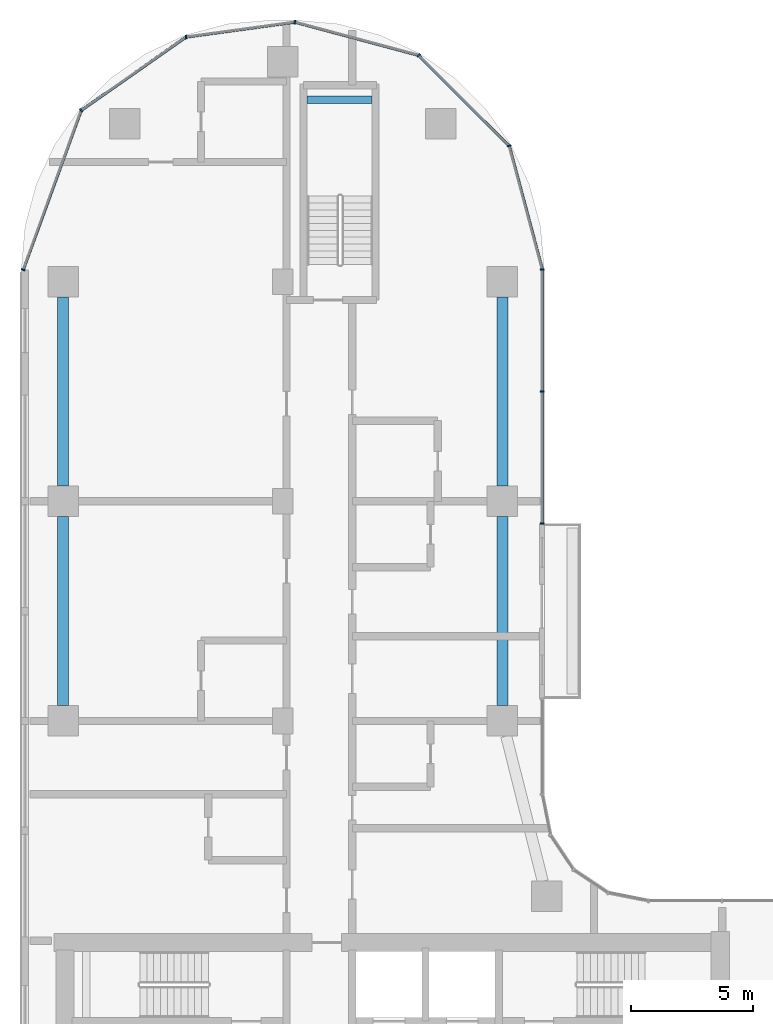
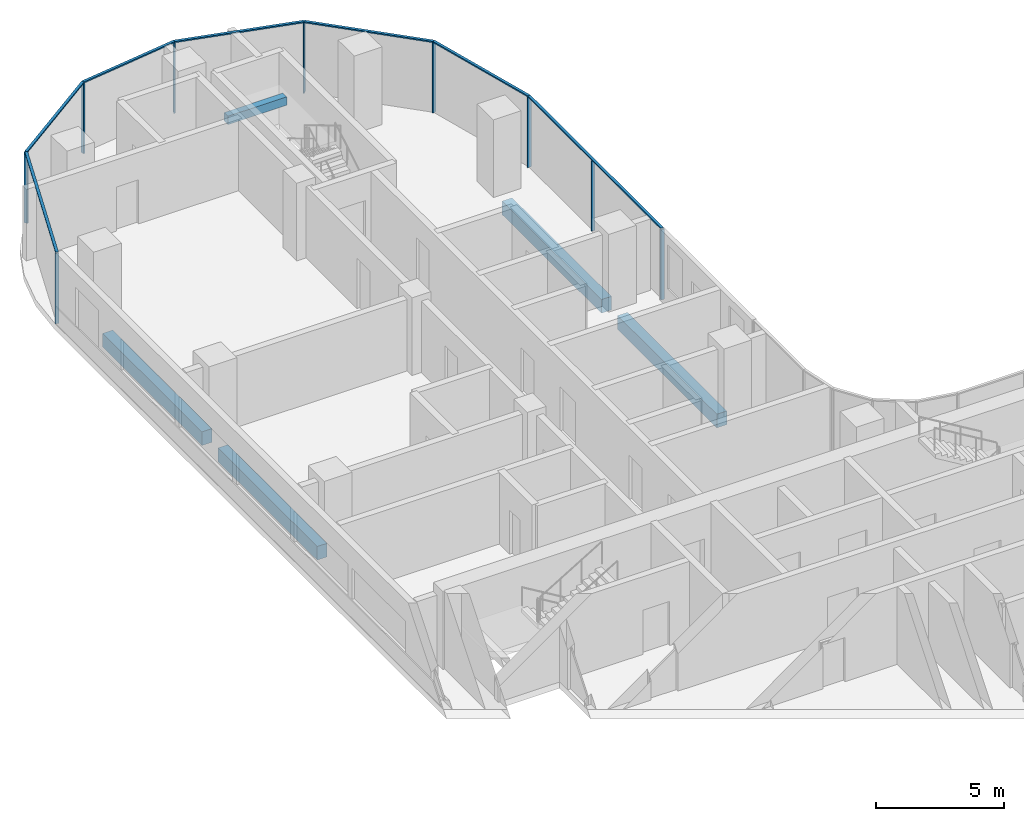
# One storey, part 6 of 23: 16 members, 5 beams, 2 elements without a shape of their own.
"""IFC4 building model written with IfcOpenShell, lengths in metres."""

from ifc_helpers import new_model, si_unit, direction, frame, origin, origin_2d, place, context, subcontext, project, spatial, rectangle, extrude, material, material_profile, profile_set, type_object, element, aggregate, save


model = new_model("IFC4")

# Units and contexts
model_context = context("Model", 3, precision=1e-05, world=origin(), true_north=direction((0.0, 1.0)))
body_context = subcontext(model_context, "Body", "Model", "MODEL_VIEW")
ifc_project = project(units=[si_unit("LENGTHUNIT", "METRE"), si_unit("AREAUNIT", "SQUARE_METRE"), si_unit("VOLUMEUNIT", "CUBIC_METRE"), si_unit("PLANEANGLEUNIT", "RADIAN"), si_unit("MASSUNIT", "GRAM", prefix="KILO")], contexts=[model_context])

# Site, building, storey
site_placement = place(None, origin())
site = spatial("IfcSite", under=ifc_project, at=site_placement, CompositionType="ELEMENT")
building_placement = place(site_placement, origin())
building = spatial("IfcBuilding", under=site, at=building_placement, Name="Ogive Portal Towers", CompositionType="ELEMENT")
storey_placement = place(building_placement, frame((0.0, 0.0, 127.800048828125)))
storey = spatial("IfcBuildingStorey", under=building, at=storey_placement, Name="L31", CompositionType="ELEMENT", Elevation=127.800048828125)

# Beam
ifc_material_1 = material(Name="Concrete C40/50", Category="concrete")
ifc_material_profile_1 = material_profile(ifc_material_1, rectangle(XDim=0.300048828125, YDim=0.39990234375, at=origin_2d()), Name="RC 300x400")
ifc_profile_set_1 = profile_set([ifc_material_profile_1], Name="Concrete C40/50")
beam_type_1 = type_object("IfcBeamType", Name="BEAM RC 300x400", PredefinedType="BEAM", material=ifc_profile_set_1)
beam_placement = place(storey_placement, frame((41.5, 73.949951171875, 1.449951171875), z_axis=(1.0, 0.0, 0.0), x_axis=(0.0, 1.0, 0.0)))
element("IfcBeam", 1, at=beam_placement, inside=storey, type_object=beam_type_1, Name="Landing beam L31", PredefinedType="BEAM", context=body_context, shape_type="SweptSolid", body=[
    extrude(rectangle(XDim=0.300048828125, YDim=0.39990234375, at=origin_2d()), origin(), (0.0, 0.0, 1.0), 2.64990234375),
])

# Curtain wall, members
ifc_material_2 = material(Name="Glass, clear low-iron insulated glazing", Category="glass")
curtain_wall_type = type_object("IfcCurtainWallType", Name="CW FRONT RIBBON 4500", PredefinedType="NOTDEFINED", material=ifc_material_2)
curtain_wall_1_placement = place(storey_placement, origin())
curtain_wall_1 = element("IfcCurtainWall", 2, at=curtain_wall_1_placement, inside=storey, type_object=curtain_wall_type, Name="A:L31:f18:cw1", PredefinedType="NOTDEFINED")
ifc_material_3 = material(Name="Aluminium 6063 anodised", Category="aluminium")
ifc_material_profile_2 = material_profile(ifc_material_3, rectangle(XDim=0.159912109375, YDim=0.06005859375, at=origin_2d()), Name="AL 60x160")
ifc_profile_set_2 = profile_set([ifc_material_profile_2], Name="Aluminium 6063 anodised")
member_type_1 = type_object("IfcMemberType", Name="CW MULLION 60x160", PredefinedType="MULLION", material=ifc_profile_set_2)
member_1_placement = place(storey_placement, frame((51.135009765625, 56.5908203125, 0.0), z_axis=(0.0, 0.0, 1.0), x_axis=(-1.0, 0.0, 0.0)))
member_1 = element("IfcMember", 3, at=member_1_placement, type_object=member_type_1, Name="mullion", PredefinedType="MULLION", context=body_context, shape_type="SweptSolid", body=[
    extrude(rectangle(XDim=0.159912109375, YDim=0.06005859375, at=origin_2d()), origin(), (0.0, 0.0, 1.0), 3.33984375),
])
member_2_placement = place(storey_placement, frame((51.135009765625, 62.0, 0.0), z_axis=(0.0, 0.0, 1.0), x_axis=(-1.0, 0.0, 0.0)))
member_2 = element("IfcMember", 4, at=member_2_placement, type_object=member_type_1, Name="mullion", PredefinedType="MULLION", context=body_context, shape_type="SweptSolid", body=[
    extrude(rectangle(XDim=0.159912109375, YDim=0.06005859375, at=origin_2d()), origin(), (0.0, 0.0, 1.0), 3.33984375),
])
member_3_placement = place(storey_placement, frame((51.135009765625, 66.989501953125, 0.0), z_axis=(0.0, 0.0, 1.0), x_axis=(-1.0, 0.0, 0.0)))
member_3 = element("IfcMember", 5, at=member_3_placement, type_object=member_type_1, Name="mullion", PredefinedType="MULLION", context=body_context, shape_type="SweptSolid", body=[
    extrude(rectangle(XDim=0.159912109375, YDim=0.06005859375, at=origin_2d()), origin(), (0.0, 0.0, 1.0), 3.33984375),
])

curtain_wall_2_placement = place(storey_placement, origin())
curtain_wall_2 = element("IfcCurtainWall", 6, at=curtain_wall_2_placement, inside=storey, type_object=curtain_wall_type, Name="A:L31:f19:cwa", PredefinedType="NOTDEFINED")
member_4_placement = place(storey_placement, frame((49.774658203125, 72.066162109375, 0.0), z_axis=(0.0, 0.0, 1.0), x_axis=(-0.965925826289, -0.258819045103, 0.0)))
member_4 = element("IfcMember", 7, at=member_4_placement, type_object=member_type_1, Name="mullion", PredefinedType="MULLION", context=body_context, shape_type="SweptSolid", body=[
    extrude(rectangle(XDim=0.159912109375, YDim=0.06005859375, at=origin_2d()), origin(), (0.0, 0.0, 1.0), 3.33984375),
])
member_5_placement = place(storey_placement, frame((46.066162109375, 75.774658203125, 0.0), z_axis=(0.0, 0.0, 1.0), x_axis=(-0.707106781187, -0.707106781187, 0.0)))
member_5 = element("IfcMember", 8, at=member_5_placement, type_object=member_type_1, Name="mullion", PredefinedType="MULLION", context=body_context, shape_type="SweptSolid", body=[
    extrude(rectangle(XDim=0.159912109375, YDim=0.06005859375, at=origin_2d()), origin(), (0.0, 0.0, 1.0), 3.33984375),
])
member_6_placement = place(storey_placement, frame((40.994873046875, 77.133544921875, 0.0), z_axis=(0.0, 0.0, 1.0), x_axis=(-0.258819045103, -0.965925826289, 0.0)))
member_6 = element("IfcMember", 9, at=member_6_placement, type_object=member_type_1, Name="mullion", PredefinedType="MULLION", context=body_context, shape_type="SweptSolid", body=[
    extrude(rectangle(XDim=0.159912109375, YDim=0.06005859375, at=origin_2d()), origin(), (0.0, 0.0, 1.0), 3.33984375),
])
member_7_placement = place(storey_placement, frame((36.536376953125, 76.522216796875, 0.0), z_axis=(0.0, 0.0, 1.0), x_axis=(0.135818290186, -0.990733764465, 0.0)))
member_7 = element("IfcMember", 10, at=member_7_placement, type_object=member_type_1, Name="mullion", PredefinedType="MULLION", context=body_context, shape_type="SweptSolid", body=[
    extrude(rectangle(XDim=0.159912109375, YDim=0.06005859375, at=origin_2d()), origin(), (0.0, 0.0, 1.0), 3.33984375),
])
member_8_placement = place(storey_placement, frame((32.241455078125, 73.514892578125, 0.0), z_axis=(0.0, 0.0, 1.0), x_axis=(0.573576436351, -0.819152044289, 0.0)))
member_8 = element("IfcMember", 11, at=member_8_placement, type_object=member_type_1, Name="mullion", PredefinedType="MULLION", context=body_context, shape_type="SweptSolid", body=[
    extrude(rectangle(XDim=0.159912109375, YDim=0.06005859375, at=origin_2d()), origin(), (0.0, 0.0, 1.0), 3.33984375),
])
member_9_placement = place(storey_placement, frame((29.864990234375, 66.98583984375, 0.0), z_axis=(0.0, 0.0, 1.0), x_axis=(0.939692620786, -0.342020143326, 0.0)))
member_9 = element("IfcMember", 12, at=member_9_placement, type_object=member_type_1, Name="mullion", PredefinedType="MULLION", context=body_context, shape_type="SweptSolid", body=[
    extrude(rectangle(XDim=0.159912109375, YDim=0.06005859375, at=origin_2d()), origin(), (0.0, 0.0, 1.0), 3.33984375),
])

# Member
ifc_material_profile_3 = material_profile(ifc_material_3, rectangle(XDim=0.1201171875, YDim=0.06005859375, at=origin_2d()), Name="AL 120x60")
ifc_profile_set_3 = profile_set([ifc_material_profile_3], Name="Aluminium 6063 anodised")
member_type_2 = type_object("IfcMemberType", Name="CW TRANSOM 60x120", PredefinedType="USERDEFINED", material=ifc_profile_set_3)
member_10_placement = place(storey_placement, frame((51.135009765625, 56.5908203125, 3.369873046875), z_axis=(0.0, 1.0, 0.0), x_axis=(-1.0, 0.0, 0.0)))
member_10 = element("IfcMember", 13, at=member_10_placement, type_object=member_type_2, Name="transom", ObjectType="TRANSOM", PredefinedType="USERDEFINED", context=body_context, shape_type="SweptSolid", body=[
    extrude(rectangle(XDim=0.1201171875, YDim=0.06005859375, at=origin_2d()), origin(), (0.0, 0.0, 1.0), 10.398681640625),
])

aggregate(curtain_wall_1, [member_10, member_1, member_2, member_3])

member_11_placement = place(storey_placement, frame((51.135009765625, 66.989501953125, 3.369873046875), z_axis=(-0.258830508272, 0.965922754669, 0.0), x_axis=(-0.965922754669, -0.258830508272, 0.0)))
member_11 = element("IfcMember", 14, at=member_11_placement, type_object=member_type_2, Name="transom", ObjectType="TRANSOM", PredefinedType="USERDEFINED", context=body_context, shape_type="SweptSolid", body=[
    extrude(rectangle(XDim=0.1201171875, YDim=0.06005859375, at=origin_2d()), origin(), (0.0, 0.0, 1.0), 5.255859375),
])

member_12_placement = place(storey_placement, frame((49.774658203125, 72.066162109375, 3.369873046875), z_axis=(-0.707106781187, 0.707106781187, 0.0), x_axis=(-0.707106781187, -0.707106781187, 0.0)))
member_12 = element("IfcMember", 15, at=member_12_placement, type_object=member_type_2, Name="transom", ObjectType="TRANSOM", PredefinedType="USERDEFINED", context=body_context, shape_type="SweptSolid", body=[
    extrude(rectangle(XDim=0.1201171875, YDim=0.06005859375, at=origin_2d()), origin(), (0.0, 0.0, 1.0), 5.24462890625),
])

member_13_placement = place(storey_placement, frame((46.066162109375, 75.774658203125, 3.369873046875), z_axis=(-0.965923973482, 0.258825959773, 0.0), x_axis=(-0.258825959773, -0.965923973482, 0.0)))
member_13 = element("IfcMember", 16, at=member_13_placement, type_object=member_type_2, Name="transom", ObjectType="TRANSOM", PredefinedType="USERDEFINED", context=body_context, shape_type="SweptSolid", body=[
    extrude(rectangle(XDim=0.1201171875, YDim=0.06005859375, at=origin_2d()), origin(), (0.0, 0.0, 1.0), 5.250244140625),
])

member_14_placement = place(storey_placement, frame((40.994873046875, 77.133544921875, 3.369873046875), z_axis=(-0.990730199866, -0.135844289808, 0.0), x_axis=(0.135844289808, -0.990730199866, 0.0)))
member_14 = element("IfcMember", 17, at=member_14_placement, type_object=member_type_2, Name="transom", ObjectType="TRANSOM", PredefinedType="USERDEFINED", context=body_context, shape_type="SweptSolid", body=[
    extrude(rectangle(XDim=0.1201171875, YDim=0.06005859375, at=origin_2d()), origin(), (0.0, 0.0, 1.0), 4.500244140625),
])

member_15_placement = place(storey_placement, frame((36.536376953125, 76.522216796875, 3.369873046875), z_axis=(-0.819153160327, -0.57357484248, 0.0), x_axis=(0.57357484248, -0.819153160327, 0.0)))
member_15 = element("IfcMember", 18, at=member_15_placement, type_object=member_type_2, Name="transom", ObjectType="TRANSOM", PredefinedType="USERDEFINED", context=body_context, shape_type="SweptSolid", body=[
    extrude(rectangle(XDim=0.1201171875, YDim=0.06005859375, at=origin_2d()), origin(), (0.0, 0.0, 1.0), 5.2431640625),
])

member_16_placement = place(storey_placement, frame((32.241455078125, 73.514892578125, 3.369873046875), z_axis=(-0.342030817509, -0.939688735632, 0.0), x_axis=(0.939688735632, -0.342030817509, 0.0)))
member_16 = element("IfcMember", 19, at=member_16_placement, type_object=member_type_2, Name="transom", ObjectType="TRANSOM", PredefinedType="USERDEFINED", context=body_context, shape_type="SweptSolid", body=[
    extrude(rectangle(XDim=0.1201171875, YDim=0.06005859375, at=origin_2d()), origin(), (0.0, 0.0, 1.0), 6.947998046875),
])

aggregate(curtain_wall_2, [member_11, member_12, member_13, member_14, member_15, member_16, member_4, member_5, member_6, member_7, member_8, member_9])

# Beams
ifc_material_4 = material(Name="Concrete C50/60", Category="concrete")
ifc_material_profile_4 = material_profile(ifc_material_4, rectangle(XDim=0.449951171875, YDim=0.64990234375, at=origin_2d()), Name="RC 450x650")
ifc_profile_set_4 = profile_set([ifc_material_profile_4], Name="Concrete C50/60")
beam_type_2 = type_object("IfcBeamType", Name="SPANDREL BEAM RC 450x650", PredefinedType="BEAM", material=ifc_profile_set_4)
for number, where, z_axis, x_axis, name in (
    (20, (31.5, 49.125, -0.625), (0.0, 1.0, 0.0), (-1.0, 0.0, 0.0), "Spandrel beam L31"),
    (21, (31.5, 58.125, -0.625), (0.0, 1.0, 0.0), (-1.0, 0.0, 0.0), "Spandrel beam L31"),
    (22, (49.5, 65.875, -0.625), (0.0, -1.0, 0.0), (1.0, 0.0, 0.0), "Spandrel beam L31"),
    (23, (49.5, 56.875, -0.625), (0.0, -1.0, 0.0), (1.0, 0.0, 0.0), "Spandrel beam L31"),
):
    element("IfcBeam", number, at=place(storey_placement, frame(where, z_axis=z_axis, x_axis=x_axis)), inside=storey, type_object=beam_type_2, Name=name, PredefinedType="BEAM", context=body_context, shape_type="SweptSolid", body=[
        extrude(rectangle(XDim=0.449951171875, YDim=0.64990234375, at=origin_2d()), origin(), (0.0, 0.0, 1.0), 7.75),
    ])

save(model, "model.ifc")
